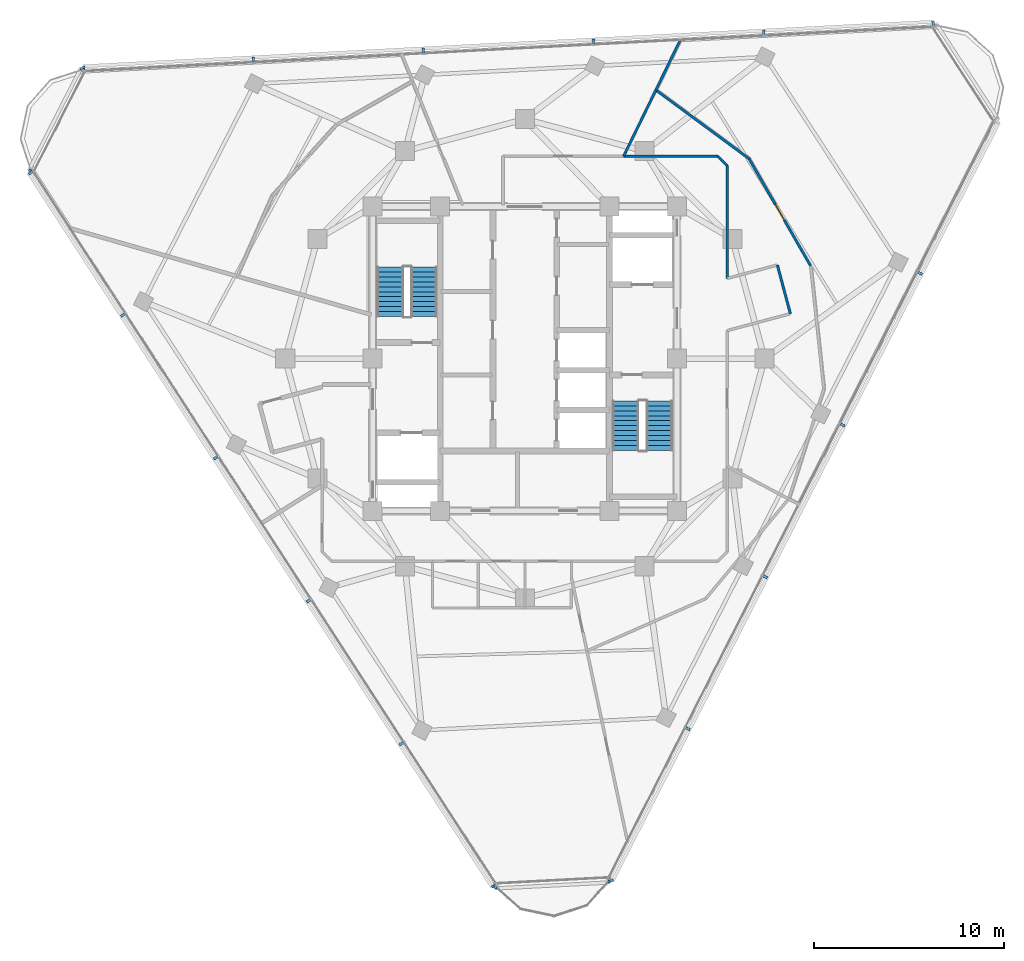
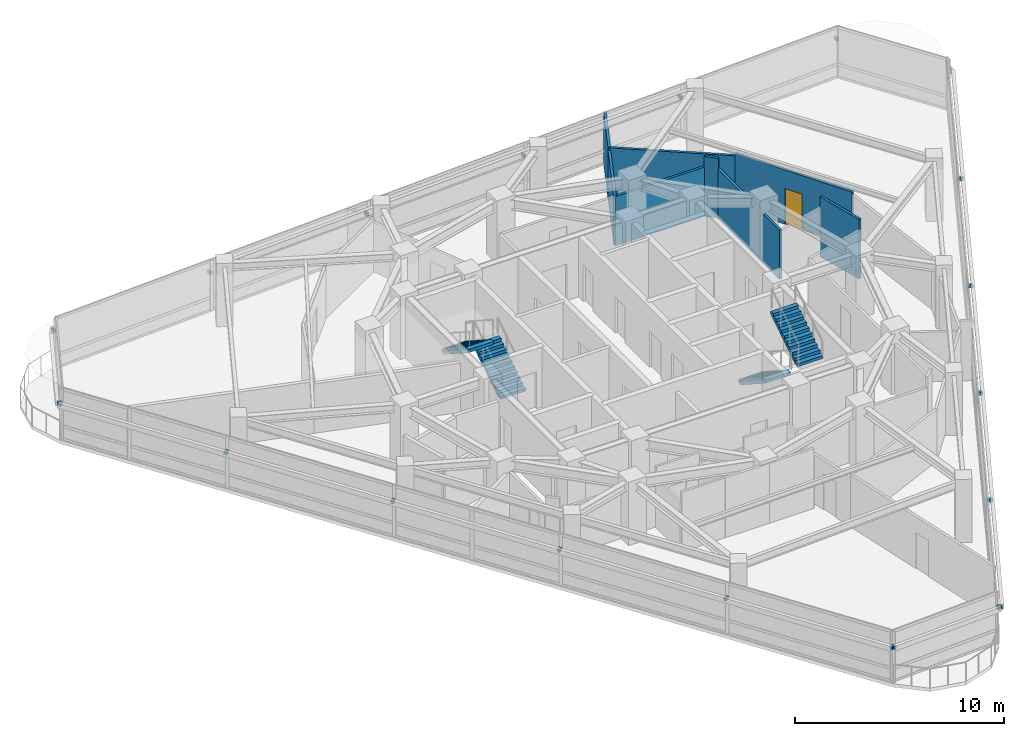
# One storey, part 10 of 15: 21 discrete accessories, 8 walls, 4 stair flights, 1 door, 1 opening, 2 elements without a shape of their own.
"""IFC4 building model written with IfcOpenShell, lengths in metres."""

import ifcopenshell
import ifcopenshell.guid

model = None  # the IFC model being written
_history = None  # IfcOwnerHistory: only IFC2X3 demands one
_inside = {}  # id of a spatial element -> (the spatial element, [elements in it])
_under = {}  # id of a project, library or spatial element -> (it, [spatial elements below it])
_declared = {}  # id of a project -> (the project, [libraries it declares])
_typed = {}  # id of a type object -> (the type object, [elements of that type])
_made_of = {}  # id of a material, layer set ... -> (it, [elements and type objects made of it])


def new_model(schema):
    """Start an empty IFC model of exactly this schema.

    Asked for "IFC4X3", IfcOpenShell would pick the latest addendum, in which some entities
    have other attributes; the version numbers below select the first issue.
    IFC2X3 requires an IfcOwnerHistory on every rooted entity: one is made here for all.
    """
    global model, _history
    if schema == "IFC4X3":
        model = ifcopenshell.file(schema_version=(4, 3, 0, 0))
    else:
        model = ifcopenshell.file(schema=schema)
    _inside.clear()
    _under.clear()
    _declared.clear()
    _typed.clear()
    _made_of.clear()
    _history = None
    if model.schema == "IFC2X3":
        org = make("IfcOrganization", Name="unknown")
        user = make(
            "IfcPersonAndOrganization",
            ThePerson=make("IfcPerson", FamilyName="unknown"),
            TheOrganization=org,
        )
        app = make(
            "IfcApplication",
            ApplicationDeveloper=org,
            Version="unknown",
            ApplicationFullName="unknown",
            ApplicationIdentifier="unknown",
        )
        _history = make(
            "IfcOwnerHistory",
            OwningUser=user,
            OwningApplication=app,
            ChangeAction="ADDED",
            CreationDate=0,
        )
    return model


def make(cls, **values):
    """One entity of the class cls with the attributes given. An attribute that is None is left unset."""
    return model.create_entity(
        cls, **{name: value for name, value in values.items() if value is not None}
    )


def rooted(cls, **values):
    """An entity with a GlobalId (a new one), such as an element, a storey or a relation."""
    return make(cls, GlobalId=ifcopenshell.guid.new(), OwnerHistory=_history, **values)


def si_unit(unit_type, name, prefix=None):
    """IfcSIUnit, for example si_unit("LENGTHUNIT", "METRE", prefix="MILLI")."""
    return make("IfcSIUnit", UnitType=unit_type, Prefix=prefix, Name=name)


def assignment(units):
    """IfcUnitAssignment: the units of a project."""
    return None if units is None else make("IfcUnitAssignment", Units=units)


def point(xyz):
    """IfcCartesianPoint."""
    return None if xyz is None else make("IfcCartesianPoint", Coordinates=xyz)


def direction(xyz):
    """IfcDirection."""
    return None if xyz is None else make("IfcDirection", DirectionRatios=xyz)


def frame(location, z_axis=None, x_axis=None):
    """IfcAxis2Placement3D, a coordinate frame: its origin and axes. An axis left out is left unset."""
    return make(
        "IfcAxis2Placement3D",
        Location=point(location),
        Axis=direction(z_axis),
        RefDirection=direction(x_axis),
    )


def frame_2d(location, x_axis=None):
    """IfcAxis2Placement2D, a coordinate frame in the plane: its origin and x axis."""
    return make(
        "IfcAxis2Placement2D", Location=point(location), RefDirection=direction(x_axis)
    )


def origin():
    """The frame at (0, 0, 0) with its axes left unset."""
    return frame((0.0, 0.0, 0.0))


def origin_2d():
    """The frame at (0, 0) in the plane with its x axis left unset."""
    return frame_2d((0.0, 0.0))


def place(relative_to, where):
    """IfcLocalPlacement: puts the frame where relative to a parent placement (None: the world)."""
    return make(
        "IfcLocalPlacement", PlacementRelTo=relative_to, RelativePlacement=where
    )


def context(
    kind, dimensions, precision=None, world=None, true_north=None, identifier=None
):
    """IfcGeometricRepresentationContext, for example the 3D "Model" context."""
    return make(
        "IfcGeometricRepresentationContext",
        ContextIdentifier=identifier,
        ContextType=kind,
        CoordinateSpaceDimension=dimensions,
        Precision=precision,
        WorldCoordinateSystem=world,
        TrueNorth=true_north,
    )


def subcontext(parent, identifier, kind, view, scale=None):
    """IfcGeometricRepresentationSubContext, for example "Body" below "Model"."""
    return make(
        "IfcGeometricRepresentationSubContext",
        ContextIdentifier=identifier,
        ContextType=kind,
        ParentContext=parent,
        TargetScale=scale,
        TargetView=view,
    )


def project(units=None, contexts=None):
    """IfcProject with its units and contexts."""
    return rooted(
        "IfcProject",
        Name="project",
        RepresentationContexts=contexts,
        UnitsInContext=assignment(units),
    )


def spatial(cls, under=None, at=None, **own):
    """A site, building, storey or space (cls), placed at a placement, below another one or the project."""
    s = rooted(cls, ObjectPlacement=at, **own)
    if under is not None:
        _under.setdefault(under.id(), (under, []))[1].append(s)
    return s


def polyline(points):
    """IfcPolyline through the points."""
    return make("IfcPolyline", Points=[point(p) for p in points])


def profile(cls, at=None, kind="AREA", **sizes):
    """A parametric profile (cls). Its sizes go by their IFC names, for example OverallWidth=200.0."""
    return make(cls, ProfileType=kind, Position=at, **sizes)


def rectangle(**sizes):
    """IfcRectangleProfileDef."""
    return profile("IfcRectangleProfileDef", **sizes)


def outline(outer, holes=None, kind="AREA"):
    """IfcArbitraryClosedProfileDef: a profile drawn as a closed curve; with holes, ...WithVoids."""
    if holes is None:
        return make("IfcArbitraryClosedProfileDef", ProfileType=kind, OuterCurve=outer)
    return make(
        "IfcArbitraryProfileDefWithVoids",
        ProfileType=kind,
        OuterCurve=outer,
        InnerCurves=holes,
    )


def extrude(swept, where, along, depth):
    """IfcExtrudedAreaSolid: the profile swept, set in the frame where, extruded along a direction by depth."""
    return make(
        "IfcExtrudedAreaSolid",
        SweptArea=swept,
        Position=where,
        ExtrudedDirection=direction(along),
        Depth=depth,
    )


def shape(context_of_items, identifier, shape_type, items):
    """IfcShapeRepresentation: the items that make up one representation, for example the "Body"."""
    return make(
        "IfcShapeRepresentation",
        ContextOfItems=context_of_items,
        RepresentationIdentifier=identifier,
        RepresentationType=shape_type,
        Items=items,
    )


def material(Name=None, Category=None):
    """IfcMaterial."""
    return make("IfcMaterial", Name=Name, Category=Category)


def layer(
    of_material, thickness, ventilated=None, Name=None, Category=None, Priority=None
):
    """IfcMaterialLayer: one layer of a wall or slab, of a material (None: an air gap)."""
    return make(
        "IfcMaterialLayer",
        Material=of_material,
        LayerThickness=thickness,
        IsVentilated=ventilated,
        Name=Name,
        Category=Category,
        Priority=Priority,
    )


def layer_set(layers, Name=None):
    """IfcMaterialLayerSet."""
    return make("IfcMaterialLayerSet", MaterialLayers=layers, LayerSetName=Name)


def made_of(thing, what):
    """Note that an element or type object is made of a material, layer set ...; save() writes the relation."""
    if what is not None:
        _made_of.setdefault(what.id(), (what, []))[1].append(thing)
    return thing


def type_object(cls, material=None, **own):
    """A type object (cls), such as IfcWallType, which elements share."""
    return made_of(rooted(cls, **own), material)


def element(
    cls,
    number,
    at=None,
    inside=None,
    cuts=None,
    type_object=None,
    material=None,
    context=None,
    identifier="Body",
    shape_type=None,
    held_by="IfcProductDefinitionShape",
    body=None,
    shapes=None,
    **own,
):
    """One element of the class cls, such as IfcWall. Its Tag is "e" and its number.

    at: its placement. inside: the storey or other place that contains it. cuts: it is an
    opening in that element (IfcRelVoidsElement). A single representation is given by context,
    identifier, shape_type and body (its items); several are given by shapes. held_by: the class
    of the entity that holds the representations. save() writes the other relations.
    """
    e = rooted(cls, Tag="e%d" % number, ObjectPlacement=at, **own)
    if body is not None:
        shapes = [shape(context, identifier, shape_type, body)]
    if shapes is not None:
        e.Representation = make(held_by, Representations=shapes)
    if inside is not None:
        _inside.setdefault(inside.id(), (inside, []))[1].append(e)
    if cuts is not None:
        rooted(
            "IfcRelVoidsElement", RelatingBuildingElement=cuts, RelatedOpeningElement=e
        )
    if type_object is not None:
        _typed.setdefault(type_object.id(), (type_object, []))[1].append(e)
    return made_of(e, material)


def fill(opening, filler):
    """IfcRelFillsElement: the door or window that sits in an opening."""
    return rooted(
        "IfcRelFillsElement",
        RelatingOpeningElement=opening,
        RelatedBuildingElement=filler,
    )


def aggregate(whole, parts):
    """IfcRelAggregates: a whole, such as a stair, and the parts it consists of."""
    return rooted("IfcRelAggregates", RelatingObject=whole, RelatedObjects=parts)


def save(model, path):
    """Write the relations noted so far, then the file.

    IfcRelAggregates (storeys below a building ...), IfcRelContainedInSpatialStructure (elements
    in a storey), IfcRelDefinesByType, IfcRelAssociatesMaterial and IfcRelDeclares: one each for
    every whole, place, type object, material and project.
    """
    for whole, parts in _under.values():
        aggregate(whole, parts)
    for where, things in _inside.values():
        rooted(
            "IfcRelContainedInSpatialStructure",
            RelatedElements=things,
            RelatingStructure=where,
        )
    for kind, things in _typed.values():
        rooted("IfcRelDefinesByType", RelatedObjects=things, RelatingType=kind)
    for what, things in _made_of.values():
        rooted("IfcRelAssociatesMaterial", RelatedObjects=things, RelatingMaterial=what)
    for by, libraries in _declared.values():
        rooted("IfcRelDeclares", RelatingContext=by, RelatedDefinitions=libraries)
    model.write(path)


model = new_model("IFC4")

# Units and contexts
model_context = context("Model", 3, precision=1e-05, world=origin(), true_north=direction((0.0, 1.0)))
body_context = subcontext(model_context, "Body", "Model", "MODEL_VIEW")
ifc_project = project(units=[si_unit("LENGTHUNIT", "METRE"), si_unit("AREAUNIT", "SQUARE_METRE"), si_unit("VOLUMEUNIT", "CUBIC_METRE"), si_unit("PLANEANGLEUNIT", "RADIAN"), si_unit("MASSUNIT", "GRAM", prefix="KILO")], contexts=[model_context])

# Site, building, storey
site_placement = place(None, origin())
site = spatial("IfcSite", under=ifc_project, at=site_placement, CompositionType="ELEMENT")
building_placement = place(site_placement, origin())
building = spatial("IfcBuilding", under=site, at=building_placement, Name="Terralouvre Media Tower", CompositionType="ELEMENT")
storey_placement = place(building_placement, frame((0.0, 0.0, 259.60009765625)))
storey = spatial("IfcBuildingStorey", under=building, at=storey_placement, Name="L67", CompositionType="ELEMENT", Elevation=259.60009765625)

# Walls
ifc_material_1 = material(Name="Fire-rated gypsum board drywall partition")
ifc_layer = layer(ifc_material_1, 0.135009765625, Name="Newsroom Acoustic Partition PT-135")
ifc_layer_set = layer_set([ifc_layer], Name="Fire-rated gypsum board drywall partition")
wall_type = type_object("IfcWallType", Name="Newsroom Acoustic Partition PT-135", PredefinedType="PARTITIONING", material=ifc_layer_set)
wall_1_placement = place(storey_placement, frame((13.9619140625, 2.368896484375, 0.0), z_axis=(0.0, 0.0, 1.0), x_axis=(-0.258413725385, 0.966034340245, 0.0)))
element("IfcWall", 1, at=wall_1_placement, inside=storey, type_object=wall_type, Name="L67 Interior Partition 008", PredefinedType="PARTITIONING", context=body_context, shape_type="SweptSolid", body=[
    extrude(rectangle(XDim=2.650146484375, YDim=0.135009765625, at=frame_2d((1.3251953125, 0.0))), origin(), (0.0, 0.0, 1.0), 3.5),
])
wall_2_placement = place(storey_placement, frame((10.64990234375, 4.22509765625, 0.0), z_axis=(0.0, 0.0, 1.0), x_axis=(0.0, 1.0, 0.0)))
element("IfcWall", 2, at=wall_2_placement, inside=storey, type_object=wall_type, Name="L67 Interior Partition 010", PredefinedType="PARTITIONING", context=body_context, shape_type="SweptSolid", body=[
    extrude(rectangle(XDim=5.9248046875, YDim=0.135009765625, at=frame_2d((2.96240234375, 0.0))), origin(), (0.0, 0.0, 1.0), 2.885009765625),
])
wall_3_placement = place(storey_placement, frame((10.64990234375, 10.14990234375, 0.0), z_axis=(0.0, 0.0, 1.0), x_axis=(-0.707106781187, 0.707106781187, 0.0)))
element("IfcWall", 3, at=wall_3_placement, inside=storey, type_object=wall_type, Name="L67 Interior Partition 011", PredefinedType="PARTITIONING", context=body_context, shape_type="SweptSolid", body=[
    extrude(rectangle(XDim=0.70703125, YDim=0.135009765625, at=frame_2d((0.353515625, 0.0))), origin(), (0.0, 0.0, 1.0), 3.5),
])
wall_4_placement = place(storey_placement, frame((10.14990234375, 10.64990234375, 0.0), z_axis=(0.0, 0.0, 1.0), x_axis=(-1.0, 0.0, 0.0)))
element("IfcWall", 4, at=wall_4_placement, inside=storey, type_object=wall_type, Name="L67 Interior Partition 012", PredefinedType="PARTITIONING", context=body_context, shape_type="SweptSolid", body=[
    extrude(rectangle(XDim=4.955810546875, YDim=0.135009765625, at=frame_2d((2.47802734375, 0.0))), origin(), (0.0, 0.0, 1.0), 2.885009765625),
])

# Wall, opening, door
wall_5_placement = place(storey_placement, frame((15.027099609375, 4.882080078125, 0.0), z_axis=(0.0, 0.0, 1.0), x_axis=(-0.498082419026, 0.867129692639, 0.0)))
wall_5 = element("IfcWall", 5, at=wall_5_placement, inside=storey, type_object=wall_type, Name="L67 Interior Partition 030", PredefinedType="PARTITIONING", context=body_context, shape_type="SweptSolid", body=[
    extrude(rectangle(XDim=6.5029296875, YDim=0.135009765625, at=frame_2d((3.25146484375, 0.0))), origin(), (0.0, 0.0, 1.0), 3.184814453125),
])
opening_placement = place(wall_5_placement, frame((2.79150390625, 0.0, 0.0)))
opening = element("IfcOpeningElement", 6, at=opening_placement, cuts=wall_5, Name="Opening ID-03-92X210", PredefinedType="OPENING", context=body_context, shape_type="SweptSolid", body=[
    extrude(rectangle(XDim=0.919921875, YDim=2.10009765625, at=frame_2d((0.4599609375, 1.050048828125))), frame((0.0, 0.077392578125, 0.0), z_axis=(0.0, -1.0, 0.0), x_axis=(1.0, 0.0, 0.0)), (0.0, 0.0, 1.0), 0.155029296875),
])
ifc_material_2 = material(Name="Engineered hardwood acoustic timber leaf", Category="wood")
door_type = type_object("IfcDoorType", Name="Accessible Restroom and Suite Door ID-03 (920x2100)", OperationType="NOTDEFINED", PredefinedType="DOOR", material=ifc_material_2)
door_placement = place(opening_placement, origin())
door = element("IfcDoor", 7, at=door_placement, inside=storey, type_object=door_type, Name="L67 Breaking Desk Editorial Office 6 Door", OperationType="SINGLE_SWING_LEFT", OverallHeight=2.10009765625, OverallWidth=0.919921875, PredefinedType="DOOR", context=body_context, shape_type="SweptSolid", body=[
    extrude(rectangle(XDim=0.919921875, YDim=2.10009765625, at=frame_2d((0.4599609375, 1.050048828125))), frame((0.0, 0.02490234375, 0.0), z_axis=(0.0, -1.0, 0.0), x_axis=(1.0, 0.0, 0.0)), (0.0, 0.0, 1.0), 0.050048828125),
])
fill(opening, door)

# Walls
wall_6_placement = place(storey_placement, frame((11.7880859375, 10.52099609375, 0.0), z_axis=(0.0, 0.0, 1.0), x_axis=(-0.805162772786, 0.593053883993, 0.0)))
element("IfcWall", 8, at=wall_6_placement, inside=storey, type_object=wall_type, Name="L67 Interior Partition 031", PredefinedType="PARTITIONING", context=body_context, shape_type="SweptSolid", body=[
    extrude(rectangle(XDim=6.08203125, YDim=0.135009765625, at=frame_2d((3.041015625, 0.0))), origin(), (0.0, 0.0, 1.0), 3.034912109375),
])
wall_7_placement = place(storey_placement, frame((6.89111328125, 14.1279296875, 0.0), z_axis=(0.0, 0.0, 1.0), x_axis=(-0.438511877771, -0.898725393573, 0.0)))
element("IfcWall", 9, at=wall_7_placement, inside=storey, type_object=wall_type, Name="L67 Interior Partition 032", PredefinedType="PARTITIONING", context=body_context, shape_type="SweptSolid", body=[
    extrude(rectangle(XDim=3.869873046875, YDim=0.135009765625, at=frame_2d((1.93505859375, 0.0))), origin(), (0.0, 0.0, 1.0), 2.885009765625),
])
wall_8_placement = place(storey_placement, frame((8.19580078125, 16.8046875, 0.0), z_axis=(0.0, 0.0, 1.0), x_axis=(-0.438139314435, -0.898907081486, 0.0)))
element("IfcWall", 10, at=wall_8_placement, inside=storey, type_object=wall_type, Name="L67 Interior Partition 046", PredefinedType="PARTITIONING", context=body_context, shape_type="SweptSolid", body=[
    extrude(rectangle(XDim=2.977783203125, YDim=0.135009765625, at=frame_2d((1.48876953125, 0.0))), origin(), (0.0, 0.0, 1.0), 3.034912109375),
])

# Stair, stair flights
ifc_material_3 = material(Name="Concrete C45/55", Category="concrete")
stair_type_1 = type_object("IfcStairType", Name="Dogleg Stair Assembly ST-01", PredefinedType="HALF_TURN_STAIR", material=ifc_material_3)
stair_1_placement = place(storey_placement, origin())
stair_1 = element("IfcStair", 11, at=stair_1_placement, inside=storey, type_object=stair_type_1, Name="L67 Core Pressurised Exit Stair ST-01", PredefinedType="HALF_TURN_STAIR")
ifc_material_4 = material(Name="Concrete C45/55", Category="concrete")
stair_flight_type = type_object("IfcStairFlightType", Name="Reinforced Concrete Stair Flight SF-RC1", PredefinedType="STRAIGHT", material=ifc_material_4)
stair_flight_1_placement = place(storey_placement, frame((-5.300048828125, 2.219970703125, 0.0), z_axis=(0.0, 0.0, 1.0), x_axis=(0.0, 1.0, 0.0)))
stair_flight_1 = element("IfcStairFlight", 12, at=stair_flight_1_placement, type_object=stair_flight_type, Name="ST-01 flight 1", NumberOfRisers=11, NumberOfTreads=10, PredefinedType="STRAIGHT", RiserHeight=0.168181818, TreadLength=0.26, context=body_context, shape_type="SweptSolid", body=[
    extrude(outline(polyline([(0.0, 0.0), (0.0, 0.168212890625), (0.260009765625, 0.168212890625), (0.260009765625, 0.33642578125), (0.52001953125, 0.33642578125), (0.52001953125, 0.504638671875), (0.780029296875, 0.504638671875), (0.780029296875, 0.672607421875), (1.0400390625, 0.672607421875), (1.0400390625, 0.8408203125), (1.300048828125, 0.8408203125), (1.300048828125, 1.009033203125), (1.56005859375, 1.009033203125), (1.56005859375, 1.17724609375), (1.820068359375, 1.17724609375), (1.820068359375, 1.345458984375), (2.080078125, 1.345458984375), (2.080078125, 1.513671875), (2.340087890625, 1.513671875), (2.340087890625, 1.681884765625), (2.60009765625, 1.681884765625), (2.60009765625, 1.85009765625), (2.60009765625, 1.503173828125), (0.27587890625, 0.0), (0.0, 0.0)])), frame((0.0, 0.699951171875, 0.0), z_axis=(0.0, -1.0, 0.0), x_axis=(1.0, 0.0, 0.0)), (0.0, 0.0, 1.0), 1.39990234375),
])
stair_flight_2_placement = place(storey_placement, frame((-7.080078125, 4.820068359375, 1.849853515625), z_axis=(0.0, 0.0, 1.0), x_axis=(0.0, -1.0, 0.0)))
stair_flight_2 = element("IfcStairFlight", 13, at=stair_flight_2_placement, type_object=stair_flight_type, Name="ST-01 flight 2", NumberOfRisers=11, NumberOfTreads=10, PredefinedType="STRAIGHT", RiserHeight=0.168181818, TreadLength=0.26, context=body_context, shape_type="SweptSolid", body=[
    extrude(outline(polyline([(0.0, 0.0), (0.0, 0.168212890625), (0.260009765625, 0.168212890625), (0.260009765625, 0.33642578125), (0.52001953125, 0.33642578125), (0.52001953125, 0.504638671875), (0.780029296875, 0.504638671875), (0.780029296875, 0.672607421875), (1.0400390625, 0.672607421875), (1.0400390625, 0.8408203125), (1.300048828125, 0.8408203125), (1.300048828125, 1.009033203125), (1.56005859375, 1.009033203125), (1.56005859375, 1.17724609375), (1.820068359375, 1.17724609375), (1.820068359375, 1.345458984375), (2.080078125, 1.345458984375), (2.080078125, 1.513671875), (2.340087890625, 1.513671875), (2.340087890625, 1.681884765625), (2.60009765625, 1.681884765625), (2.60009765625, 1.85009765625), (2.60009765625, 1.503173828125), (0.27587890625, 0.0), (0.0, 0.0)])), frame((0.0, 0.699951171875, 0.0), z_axis=(0.0, -1.0, 0.0), x_axis=(1.0, 0.0, 0.0)), (0.0, 0.0, 1.0), 1.39990234375),
])
aggregate(stair_1, [stair_flight_1, stair_flight_2])

ifc_material_5 = material(Name="Concrete C45/55", Category="concrete")
stair_type_2 = type_object("IfcStairType", Name="Dogleg Stair Assembly ST-02", PredefinedType="HALF_TURN_STAIR", material=ifc_material_5)
stair_2_placement = place(storey_placement, origin())
stair_2 = element("IfcStair", 14, at=stair_2_placement, inside=storey, type_object=stair_type_2, Name="L67 Core Pressurised Exit Stair ST-02", PredefinedType="HALF_TURN_STAIR")
stair_flight_3_placement = place(storey_placement, frame((5.300048828125, -2.219970703125, 0.0), z_axis=(0.0, 0.0, 1.0), x_axis=(0.0, -1.0, 0.0)))
stair_flight_3 = element("IfcStairFlight", 15, at=stair_flight_3_placement, type_object=stair_flight_type, Name="ST-02 flight 1", NumberOfRisers=11, NumberOfTreads=10, PredefinedType="STRAIGHT", RiserHeight=0.168181818, TreadLength=0.26, context=body_context, shape_type="SweptSolid", body=[
    extrude(outline(polyline([(0.0, 0.0), (0.0, 0.168212890625), (0.260009765625, 0.168212890625), (0.260009765625, 0.33642578125), (0.52001953125, 0.33642578125), (0.52001953125, 0.504638671875), (0.780029296875, 0.504638671875), (0.780029296875, 0.672607421875), (1.0400390625, 0.672607421875), (1.0400390625, 0.8408203125), (1.300048828125, 0.8408203125), (1.300048828125, 1.009033203125), (1.56005859375, 1.009033203125), (1.56005859375, 1.17724609375), (1.820068359375, 1.17724609375), (1.820068359375, 1.345458984375), (2.080078125, 1.345458984375), (2.080078125, 1.513671875), (2.340087890625, 1.513671875), (2.340087890625, 1.681884765625), (2.60009765625, 1.681884765625), (2.60009765625, 1.85009765625), (2.60009765625, 1.503173828125), (0.27587890625, 0.0), (0.0, 0.0)])), frame((0.0, 0.699951171875, 0.0), z_axis=(0.0, -1.0, 0.0), x_axis=(1.0, 0.0, 0.0)), (0.0, 0.0, 1.0), 1.39990234375),
])
stair_flight_4_placement = place(storey_placement, frame((7.080078125, -4.820068359375, 1.849853515625), z_axis=(0.0, 0.0, 1.0), x_axis=(0.0, 1.0, 0.0)))
stair_flight_4 = element("IfcStairFlight", 16, at=stair_flight_4_placement, type_object=stair_flight_type, Name="ST-02 flight 2", NumberOfRisers=11, NumberOfTreads=10, PredefinedType="STRAIGHT", RiserHeight=0.168181818, TreadLength=0.26, context=body_context, shape_type="SweptSolid", body=[
    extrude(outline(polyline([(0.0, 0.0), (0.0, 0.168212890625), (0.260009765625, 0.168212890625), (0.260009765625, 0.33642578125), (0.52001953125, 0.33642578125), (0.52001953125, 0.504638671875), (0.780029296875, 0.504638671875), (0.780029296875, 0.672607421875), (1.0400390625, 0.672607421875), (1.0400390625, 0.8408203125), (1.300048828125, 0.8408203125), (1.300048828125, 1.009033203125), (1.56005859375, 1.009033203125), (1.56005859375, 1.17724609375), (1.820068359375, 1.17724609375), (1.820068359375, 1.345458984375), (2.080078125, 1.345458984375), (2.080078125, 1.513671875), (2.340087890625, 1.513671875), (2.340087890625, 1.681884765625), (2.60009765625, 1.681884765625), (2.60009765625, 1.85009765625), (2.60009765625, 1.503173828125), (0.27587890625, 0.0), (0.0, 0.0)])), frame((0.0, 0.699951171875, 0.0), z_axis=(0.0, -1.0, 0.0), x_axis=(1.0, 0.0, 0.0)), (0.0, 0.0, 1.0), 1.39990234375),
])
aggregate(stair_2, [stair_flight_3, stair_flight_4])

# Discrete accessories
ifc_material_6 = material(Name="Anodised extruded aluminium 6063-T6", Category="aluminium")
discrete_accessory_type = type_object("IfcDiscreteAccessoryType", Name="Mullion Stand-Off Baguette Fixing Bracket BK-01", PredefinedType="BRACKET", material=ifc_material_6)
for number, where, z_axis, x_axis, name in (
    (17, (4.52490234375, -27.403564453125, 2.07373046875), (0.0, 0.0, 1.0), (0.45399044259, 0.891006553308, 0.0), "CW-L67-F0 Baguette Outrigger Bracket 1.01"),
    (18, (8.57568359375, -19.45361328125, 2.07373046875), (0.0, 0.0, 1.0), (0.45399044259, 0.891006553308, 0.0), "CW-L67-F0 Baguette Outrigger Bracket 1.02"),
    (19, (12.643310546875, -11.47021484375, 2.07373046875), (0.0, 0.0, 1.0), (0.45399044259, 0.891006553308, 0.0), "CW-L67-F0 Baguette Outrigger Bracket 1.03"),
    (20, (16.711181640625, -3.48681640625, 2.07373046875), (0.0, 0.0, 1.0), (0.45399044259, 0.891006553308, 0.0), "CW-L67-F0 Baguette Outrigger Bracket 1.04"),
    (21, (20.77880859375, 4.49658203125, 2.07373046875), (0.0, 0.0, 1.0), (0.45399044259, 0.891006553308, 0.0), "CW-L67-F0 Baguette Outrigger Bracket 1.05"),
    (22, (21.4697265625, 17.620361328125, 2.07373046875), (0.0, 0.0, 1.0), (-0.998629523875, -0.052336163844, 0.0), "CW-L67-F1 Baguette Outrigger Bracket 1.01"),
    (23, (12.5595703125, 17.153564453125, 2.07373046875), (0.0, 0.0, 1.0), (-0.998629523875, -0.052336163844, 0.0), "CW-L67-F1 Baguette Outrigger Bracket 1.02"),
    (24, (3.61181640625, 16.6845703125, 2.07373046875), (0.0, 0.0, 1.0), (-0.998629523875, -0.052336163844, 0.0), "CW-L67-F1 Baguette Outrigger Bracket 1.03"),
    (25, (-5.3359375, 16.215576171875, 2.07373046875), (0.0, 0.0, 1.0), (-0.998629523875, -0.052336163844, 0.0), "CW-L67-F1 Baguette Outrigger Bracket 1.04"),
    (26, (-14.28369140625, 15.74658203125, 2.07373046875), (0.0, 0.0, 1.0), (-0.998629523875, -0.052336163844, 0.0), "CW-L67-F1 Baguette Outrigger Bracket 1.05"),
    (27, (-23.194091796875, 15.27978515625, 2.07373046875), (0.0, 0.0, 1.0), (-0.998629523875, -0.052336163844, 0.0), "CW-L67-F1 Baguette Outrigger Bracket 1.06"),
    (28, (-25.99462890625, 9.783203125, 2.07373046875), (0.0, 0.0, 1.0), (0.544639069077, -0.838670545826, 0.0), "CW-L67-F2 Baguette Outrigger Bracket 1.01"),
    (29, (-21.135009765625, 2.300048828125, 2.07373046875), (0.0, 0.0, 1.0), (0.544639069077, -0.838670545826, 0.0), "CW-L67-F2 Baguette Outrigger Bracket 1.02"),
    (30, (-16.255126953125, -5.21435546875, 2.07373046875), (0.0, 0.0, 1.0), (0.544639069077, -0.838670545826, 0.0), "CW-L67-F2 Baguette Outrigger Bracket 1.03"),
    (31, (-11.375244140625, -12.72900390625, 2.07373046875), (0.0, 0.0, 1.0), (0.544639069077, -0.838670545826, 0.0), "CW-L67-F2 Baguette Outrigger Bracket 1.04"),
    (32, (-6.4951171875, -20.243408203125, 2.07373046875), (0.0, 0.0, 1.0), (0.544639069077, -0.838670545826, 0.0), "CW-L67-F2 Baguette Outrigger Bracket 1.05"),
    (33, (-1.6357421875, -27.726318359375, 2.07373046875), (0.0, 0.0, 1.0), (0.544639069077, -0.838670545826, 0.0), "CW-L67-F2 Baguette Outrigger Bracket 1.06"),
    (34, (-1.543212890625, -27.754150390625, 2.07373046875), (0.0, 0.0, 1.0), (0.998629533744, 0.05233597552, 0.0), "CW-L67-C0 Baguette Outrigger Bracket 1.01"),
    (35, (4.435791015625, -27.440673828125, 2.07373046875), (0.0, 0.0, 1.0), (0.998629533744, 0.05233597552, 0.0), "CW-L67-C0 Baguette Outrigger Bracket 1.02"),
    (36, (-23.26416015625, 15.21337890625, 2.07373046875), (0.0, 0.0, 1.0), (-0.453990349937, -0.891006600517, 0.0), "CW-L67-C2 Baguette Outrigger Bracket 1.01"),
    (37, (-25.982177734375, 9.87890625, 2.07373046875), (0.0, 0.0, 1.0), (-0.453990349937, -0.891006600517, 0.0), "CW-L67-C2 Baguette Outrigger Bracket 1.02"),
):
    element("IfcDiscreteAccessory", number, at=place(storey_placement, frame(where, z_axis=z_axis, x_axis=x_axis)), inside=storey, type_object=discrete_accessory_type, Name=name, PredefinedType="BRACKET", context=body_context, shape_type="SweptSolid", body=[
        extrude(rectangle(XDim=0.139892578125, YDim=0.239990234375, at=origin_2d()), origin(), (0.0, 0.0, 1.0), 0.179931640625),
    ])

save(model, "model.ifc")
